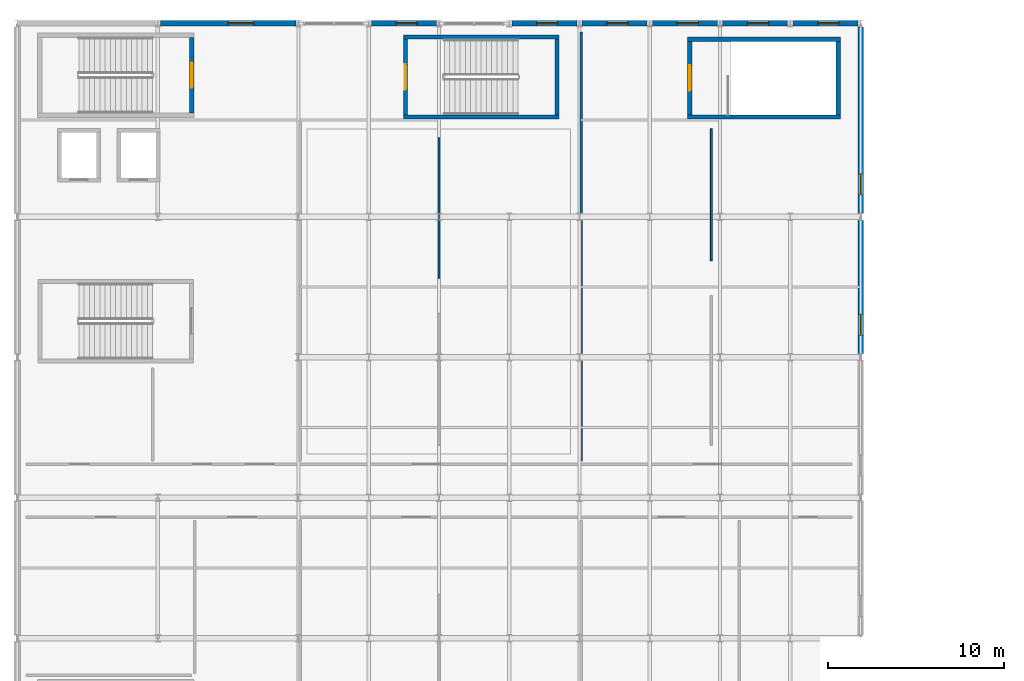
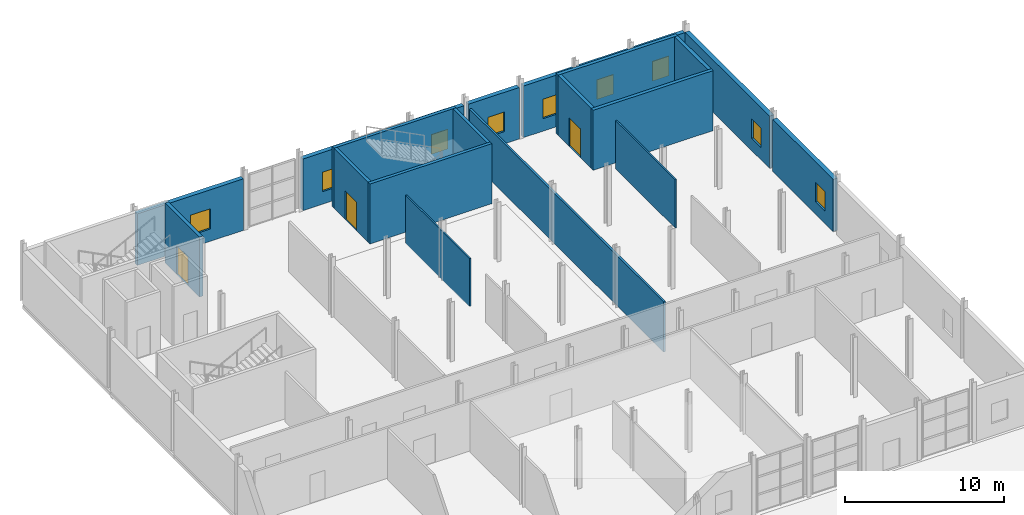
# One storey, part 61 of 67: 21 walls, 9 windows, 3 doors, 12 openings.
"""IFC4 building model written with IfcOpenShell, lengths in metres."""

from ifc_helpers import new_model, si_unit, derived_unit, direction, frame, frame_2d, origin, place, context, subcontext, project, spatial, rectangle, extrude, material, layer, layer_set, type_object, element, fill, save


model = new_model("IFC4")

# Units and contexts
model_context = context("Model", 3, precision=1e-05, world=origin(), true_north=direction((0.0, 1.0)))
body_context = subcontext(model_context, "Body", "Model", "MODEL_VIEW")
ifc_project = project(units=[si_unit("LENGTHUNIT", "METRE"), si_unit("AREAUNIT", "SQUARE_METRE"), si_unit("VOLUMEUNIT", "CUBIC_METRE"), si_unit("PLANEANGLEUNIT", "RADIAN"), si_unit("MASSUNIT", "GRAM", prefix="KILO"), derived_unit("THERMALTRANSMITTANCEUNIT", [(si_unit("POWERUNIT", "WATT"), 1), (si_unit("LENGTHUNIT", "METRE"), -2), (si_unit("THERMODYNAMICTEMPERATUREUNIT", "KELVIN"), -1)])], contexts=[model_context])

# Site, building, storey
site_placement = place(None, origin())
site = spatial("IfcSite", under=ifc_project, at=site_placement, CompositionType="ELEMENT")
building_placement = place(site_placement, origin())
building = spatial("IfcBuilding", under=site, at=building_placement, Name="Keldorne Ridge Multi-Sports Centre", CompositionType="ELEMENT")
storey_placement = place(building_placement, frame((0.0, 0.0, 14.0)))
storey = spatial("IfcBuildingStorey", under=building, at=storey_placement, Name="L03", CompositionType="ELEMENT", Elevation=14.0)

# Walls
ifc_material_1 = material(Name="Acoustic operable panel partition")
ifc_layer_1 = layer(ifc_material_1, 0.110107421875)
ifc_layer_set_1 = layer_set([ifc_layer_1])
wall_type_1 = type_object("IfcWallType", Name="WAL-MV-01", PredefinedType="MOVABLE", material=ifc_layer_set_1)
wall_1_placement = place(storey_placement, frame((128.0, 102.5, 0.0), z_axis=(0.0, 0.0, 1.0), x_axis=(0.0, 1.0, 0.0)))
element("IfcWall", 1, at=wall_1_placement, inside=storey, type_object=wall_type_1, Name="Acoustic operable studio partition MV-02", PredefinedType="MOVABLE", context=body_context, shape_type="SweptSolid", body=[
    extrude(rectangle(XDim=8.0, YDim=0.110107421875, at=frame_2d((4.0, 0.0))), origin(), (0.0, 0.0, 1.0), 3.699951171875),
])
wall_2_placement = place(storey_placement, frame((143.5, 103.5, 0.0), z_axis=(0.0, 0.0, 1.0), x_axis=(0.0, 1.0, 0.0)))
element("IfcWall", 2, at=wall_2_placement, inside=storey, type_object=wall_type_1, Name="Acoustic operable studio partition MV-04", PredefinedType="MOVABLE", context=body_context, shape_type="SweptSolid", body=[
    extrude(rectangle(XDim=7.5, YDim=0.110107421875, at=frame_2d((3.75, 0.0))), origin(), (0.0, 0.0, 1.0), 3.699951171875),
])

# Wall, opening, window
ifc_material_2 = material(Name="Precast concrete C40/50", Category="concrete")
ifc_layer_2 = layer(ifc_material_2, 0.320068359375)
ifc_layer_set_2 = layer_set([ifc_layer_2], Name="Precast concrete C40/50")
wall_type_2 = type_object("IfcWallType", Name="WAL-PR-W1", PredefinedType="STANDARD", material=ifc_layer_set_2)
wall_3_placement = place(storey_placement, frame((119.847900390625, 117.0, 0.0), z_axis=(0.0, 0.0, 1.0), x_axis=(-1.0, 0.0, 0.0)))
wall_3 = element("IfcWall", 3, at=wall_3_placement, inside=storey, type_object=wall_type_2, Name="East Wing L03 north facade 2", PredefinedType="STANDARD", context=body_context, shape_type="SweptSolid", body=[
    extrude(rectangle(XDim=7.69580078125, YDim=0.320068359375, at=frame_2d((3.847900390625, 0.0))), origin(), (0.0, 0.0, 1.0), 3.955078125),
])
opening_1_placement = place(wall_3_placement, frame((2.387939453125, 0.0, 0.949951171875)))
opening_1 = element("IfcOpeningElement", 4, at=opening_1_placement, cuts=wall_3, Name="Opening W-16", PredefinedType="OPENING", context=body_context, shape_type="SweptSolid", body=[
    extrude(rectangle(XDim=1.449951171875, YDim=1.550048828125, at=frame_2d((0.72509765625, 0.77490234375))), frame((0.0, 0.169921875, 0.0), z_axis=(0.0, -1.0, 0.0), x_axis=(1.0, 0.0, 0.0)), (0.0, 0.0, 1.0), 0.340087890625),
])
ifc_material_3 = material(Name="Anodized aluminium", Category="aluminium")
window_type_1 = type_object("IfcWindowType", Name="WIN-W-16", PartitioningType="SINGLE_PANEL", PredefinedType="WINDOW", material=ifc_material_3)
window_1_placement = place(opening_1_placement, origin())
window_1 = element("IfcWindow", 5, at=window_1_placement, inside=storey, type_object=window_type_1, Name="East Wing L03 north window W-095", OverallHeight=1.550048828125, OverallWidth=1.449951171875, PartitioningType="SINGLE_PANEL", PredefinedType="WINDOW", context=body_context, shape_type="SweptSolid", body=[
    extrude(rectangle(XDim=1.449951171875, YDim=1.550048828125, at=frame_2d((0.72509765625, 0.77490234375))), frame((0.0, 0.030029296875, 0.0), z_axis=(0.0, -1.0, 0.0), x_axis=(1.0, 0.0, 0.0)), (0.0, 0.0, 1.0), 0.06005859375),
])
fill(opening_1, window_1)

wall_4_placement = place(storey_placement, frame((127.847900390625, 117.0, 0.0), z_axis=(0.0, 0.0, 1.0), x_axis=(-1.0, 0.0, 0.0)))
wall_4 = element("IfcWall", 6, at=wall_4_placement, inside=storey, type_object=wall_type_2, Name="East Wing L03 north facade 4", PredefinedType="STANDARD", context=body_context, shape_type="SweptSolid", body=[
    extrude(rectangle(XDim=3.69580078125, YDim=0.320068359375, at=frame_2d((1.847900390625, 0.0))), origin(), (0.0, 0.0, 1.0), 3.955078125),
])
opening_2_placement = place(wall_4_placement, frame((1.087890625, 0.0, 0.949951171875)))
opening_2 = element("IfcOpeningElement", 7, at=opening_2_placement, cuts=wall_4, Name="Opening W-03", PredefinedType="OPENING", context=body_context, shape_type="SweptSolid", body=[
    extrude(rectangle(XDim=1.199951171875, YDim=1.5, at=frame_2d((0.60009765625, 0.75))), frame((0.0, 0.169921875, 0.0), z_axis=(0.0, -1.0, 0.0), x_axis=(1.0, 0.0, 0.0)), (0.0, 0.0, 1.0), 0.340087890625),
])
window_type_2 = type_object("IfcWindowType", Name="WIN-W-03", PartitioningType="SINGLE_PANEL", PredefinedType="WINDOW", material=ifc_material_3)
window_2_placement = place(opening_2_placement, origin())
window_2 = element("IfcWindow", 8, at=window_2_placement, inside=storey, type_object=window_type_2, Name="East Wing L03 north window W-096", OverallHeight=1.5, OverallWidth=1.199951171875, PartitioningType="SINGLE_PANEL", PredefinedType="WINDOW", context=body_context, shape_type="SweptSolid", body=[
    extrude(rectangle(XDim=1.199951171875, YDim=1.5, at=frame_2d((0.60009765625, 0.75))), frame((0.0, 0.030029296875, 0.0), z_axis=(0.0, -1.0, 0.0), x_axis=(1.0, 0.0, 0.0)), (0.0, 0.0, 1.0), 0.06005859375),
])
fill(opening_2, window_2)

wall_5_placement = place(storey_placement, frame((135.847900390625, 117.0, 0.0), z_axis=(0.0, 0.0, 1.0), x_axis=(-1.0, 0.0, 0.0)))
wall_5 = element("IfcWall", 9, at=wall_5_placement, inside=storey, type_object=wall_type_2, Name="East Wing L03 north facade 6", PredefinedType="STANDARD", context=body_context, shape_type="SweptSolid", body=[
    extrude(rectangle(XDim=3.69580078125, YDim=0.320068359375, at=frame_2d((1.847900390625, 0.0))), origin(), (0.0, 0.0, 1.0), 3.955078125),
])
opening_3_placement = place(wall_5_placement, frame((1.087890625, 0.0, 0.949951171875)))
opening_3 = element("IfcOpeningElement", 10, at=opening_3_placement, cuts=wall_5, Name="Opening W-03", PredefinedType="OPENING", context=body_context, shape_type="SweptSolid", body=[
    extrude(rectangle(XDim=1.199951171875, YDim=1.5, at=frame_2d((0.60009765625, 0.75))), frame((0.0, 0.169921875, 0.0), z_axis=(0.0, -1.0, 0.0), x_axis=(1.0, 0.0, 0.0)), (0.0, 0.0, 1.0), 0.340087890625),
])
window_3_placement = place(opening_3_placement, origin())
window_3 = element("IfcWindow", 11, at=window_3_placement, inside=storey, type_object=window_type_2, Name="East Wing L03 north window W-097", OverallHeight=1.5, OverallWidth=1.199951171875, PartitioningType="SINGLE_PANEL", PredefinedType="WINDOW", context=body_context, shape_type="SweptSolid", body=[
    extrude(rectangle(XDim=1.199951171875, YDim=1.5, at=frame_2d((0.60009765625, 0.75))), frame((0.0, 0.030029296875, 0.0), z_axis=(0.0, -1.0, 0.0), x_axis=(1.0, 0.0, 0.0)), (0.0, 0.0, 1.0), 0.06005859375),
])
fill(opening_3, window_3)

wall_6_placement = place(storey_placement, frame((139.847900390625, 117.0, 0.0), z_axis=(0.0, 0.0, 1.0), x_axis=(-1.0, 0.0, 0.0)))
wall_6 = element("IfcWall", 12, at=wall_6_placement, inside=storey, type_object=wall_type_2, Name="East Wing L03 north facade 7", PredefinedType="STANDARD", context=body_context, shape_type="SweptSolid", body=[
    extrude(rectangle(XDim=3.69580078125, YDim=0.320068359375, at=frame_2d((1.847900390625, 0.0))), origin(), (0.0, 0.0, 1.0), 3.955078125),
])
opening_4_placement = place(wall_6_placement, frame((1.087890625, 0.0, 0.949951171875)))
opening_4 = element("IfcOpeningElement", 13, at=opening_4_placement, cuts=wall_6, Name="Opening W-03", PredefinedType="OPENING", context=body_context, shape_type="SweptSolid", body=[
    extrude(rectangle(XDim=1.199951171875, YDim=1.5, at=frame_2d((0.60009765625, 0.75))), frame((0.0, 0.169921875, 0.0), z_axis=(0.0, -1.0, 0.0), x_axis=(1.0, 0.0, 0.0)), (0.0, 0.0, 1.0), 0.340087890625),
])
window_4_placement = place(opening_4_placement, origin())
window_4 = element("IfcWindow", 14, at=window_4_placement, inside=storey, type_object=window_type_2, Name="East Wing L03 north window W-098", OverallHeight=1.5, OverallWidth=1.199951171875, PartitioningType="SINGLE_PANEL", PredefinedType="WINDOW", context=body_context, shape_type="SweptSolid", body=[
    extrude(rectangle(XDim=1.199951171875, YDim=1.5, at=frame_2d((0.60009765625, 0.75))), frame((0.0, 0.030029296875, 0.0), z_axis=(0.0, -1.0, 0.0), x_axis=(1.0, 0.0, 0.0)), (0.0, 0.0, 1.0), 0.06005859375),
])
fill(opening_4, window_4)

wall_7_placement = place(storey_placement, frame((143.847900390625, 117.0, 0.0), z_axis=(0.0, 0.0, 1.0), x_axis=(-1.0, 0.0, 0.0)))
wall_7 = element("IfcWall", 15, at=wall_7_placement, inside=storey, type_object=wall_type_2, Name="East Wing L03 north facade 8", PredefinedType="STANDARD", context=body_context, shape_type="SweptSolid", body=[
    extrude(rectangle(XDim=3.69580078125, YDim=0.320068359375, at=frame_2d((1.847900390625, 0.0))), origin(), (0.0, 0.0, 1.0), 3.955078125),
])
opening_5_placement = place(wall_7_placement, frame((1.087890625, 0.0, 0.949951171875)))
opening_5 = element("IfcOpeningElement", 16, at=opening_5_placement, cuts=wall_7, Name="Opening W-03", PredefinedType="OPENING", context=body_context, shape_type="SweptSolid", body=[
    extrude(rectangle(XDim=1.199951171875, YDim=1.5, at=frame_2d((0.60009765625, 0.75))), frame((0.0, 0.169921875, 0.0), z_axis=(0.0, -1.0, 0.0), x_axis=(1.0, 0.0, 0.0)), (0.0, 0.0, 1.0), 0.340087890625),
])
window_5_placement = place(opening_5_placement, origin())
window_5 = element("IfcWindow", 17, at=window_5_placement, inside=storey, type_object=window_type_2, Name="East Wing L03 north window W-099", OverallHeight=1.5, OverallWidth=1.199951171875, PartitioningType="SINGLE_PANEL", PredefinedType="WINDOW", context=body_context, shape_type="SweptSolid", body=[
    extrude(rectangle(XDim=1.199951171875, YDim=1.5, at=frame_2d((0.60009765625, 0.75))), frame((0.0, 0.030029296875, 0.0), z_axis=(0.0, -1.0, 0.0), x_axis=(1.0, 0.0, 0.0)), (0.0, 0.0, 1.0), 0.06005859375),
])
fill(opening_5, window_5)

wall_8_placement = place(storey_placement, frame((147.847900390625, 117.0, 0.0), z_axis=(0.0, 0.0, 1.0), x_axis=(-1.0, 0.0, 0.0)))
wall_8 = element("IfcWall", 18, at=wall_8_placement, inside=storey, type_object=wall_type_2, Name="East Wing L03 north facade 9", PredefinedType="STANDARD", context=body_context, shape_type="SweptSolid", body=[
    extrude(rectangle(XDim=3.69580078125, YDim=0.320068359375, at=frame_2d((1.847900390625, 0.0))), origin(), (0.0, 0.0, 1.0), 3.955078125),
])
opening_6_placement = place(wall_8_placement, frame((1.087890625, 0.0, 0.949951171875)))
opening_6 = element("IfcOpeningElement", 19, at=opening_6_placement, cuts=wall_8, Name="Opening W-03", PredefinedType="OPENING", context=body_context, shape_type="SweptSolid", body=[
    extrude(rectangle(XDim=1.199951171875, YDim=1.5, at=frame_2d((0.60009765625, 0.75))), frame((0.0, 0.169921875, 0.0), z_axis=(0.0, -1.0, 0.0), x_axis=(1.0, 0.0, 0.0)), (0.0, 0.0, 1.0), 0.340087890625),
])
window_6_placement = place(opening_6_placement, origin())
window_6 = element("IfcWindow", 20, at=window_6_placement, inside=storey, type_object=window_type_2, Name="East Wing L03 north window W-100", OverallHeight=1.5, OverallWidth=1.199951171875, PartitioningType="SINGLE_PANEL", PredefinedType="WINDOW", context=body_context, shape_type="SweptSolid", body=[
    extrude(rectangle(XDim=1.199951171875, YDim=1.5, at=frame_2d((0.60009765625, 0.75))), frame((0.0, 0.030029296875, 0.0), z_axis=(0.0, -1.0, 0.0), x_axis=(1.0, 0.0, 0.0)), (0.0, 0.0, 1.0), 0.06005859375),
])
fill(opening_6, window_6)

wall_9_placement = place(storey_placement, frame((151.847900390625, 117.0, 0.0), z_axis=(0.0, 0.0, 1.0), x_axis=(-1.0, 0.0, 0.0)))
wall_9 = element("IfcWall", 21, at=wall_9_placement, inside=storey, type_object=wall_type_2, Name="East Wing L03 north facade 10", PredefinedType="STANDARD", context=body_context, shape_type="SweptSolid", body=[
    extrude(rectangle(XDim=3.69580078125, YDim=0.320068359375, at=frame_2d((1.847900390625, 0.0))), origin(), (0.0, 0.0, 1.0), 3.955078125),
])
opening_7_placement = place(wall_9_placement, frame((1.087890625, 0.0, 0.949951171875)))
opening_7 = element("IfcOpeningElement", 22, at=opening_7_placement, cuts=wall_9, Name="Opening W-03", PredefinedType="OPENING", context=body_context, shape_type="SweptSolid", body=[
    extrude(rectangle(XDim=1.199951171875, YDim=1.5, at=frame_2d((0.60009765625, 0.75))), frame((0.0, 0.169921875, 0.0), z_axis=(0.0, -1.0, 0.0), x_axis=(1.0, 0.0, 0.0)), (0.0, 0.0, 1.0), 0.340087890625),
])
window_7_placement = place(opening_7_placement, origin())
window_7 = element("IfcWindow", 23, at=window_7_placement, inside=storey, type_object=window_type_2, Name="East Wing L03 north window W-101", OverallHeight=1.5, OverallWidth=1.199951171875, PartitioningType="SINGLE_PANEL", PredefinedType="WINDOW", context=body_context, shape_type="SweptSolid", body=[
    extrude(rectangle(XDim=1.199951171875, YDim=1.5, at=frame_2d((0.60009765625, 0.75))), frame((0.0, 0.030029296875, 0.0), z_axis=(0.0, -1.0, 0.0), x_axis=(1.0, 0.0, 0.0)), (0.0, 0.0, 1.0), 0.06005859375),
])
fill(opening_7, window_7)

wall_10_placement = place(storey_placement, frame((152.0, 98.197021484375, 0.0), z_axis=(0.0, 0.0, 1.0), x_axis=(0.0, 1.0, 0.0)))
wall_10 = element("IfcWall", 24, at=wall_10_placement, inside=storey, type_object=wall_type_2, Name="East Wing L03 east facade 4", PredefinedType="STANDARD", context=body_context, shape_type="SweptSolid", body=[
    extrude(rectangle(XDim=7.60595703125, YDim=0.320068359375, at=frame_2d((3.802978515625, 0.0))), origin(), (0.0, 0.0, 1.0), 4.0048828125),
])
opening_8_placement = place(wall_10_placement, frame((1.04296875, 0.0, 0.949951171875)))
opening_8 = element("IfcOpeningElement", 25, at=opening_8_placement, cuts=wall_10, Name="Opening W-03", PredefinedType="OPENING", context=body_context, shape_type="SweptSolid", body=[
    extrude(rectangle(XDim=1.199951171875, YDim=1.5, at=frame_2d((0.60009765625, 0.75))), frame((0.0, 0.169921875, 0.0), z_axis=(0.0, -1.0, 0.0), x_axis=(1.0, 0.0, 0.0)), (0.0, 0.0, 1.0), 0.340087890625),
])
window_8_placement = place(opening_8_placement, origin())
window_8 = element("IfcWindow", 26, at=window_8_placement, inside=storey, type_object=window_type_2, Name="East Wing L03 east window W-105", OverallHeight=1.5, OverallWidth=1.199951171875, PartitioningType="SINGLE_PANEL", PredefinedType="WINDOW", context=body_context, shape_type="SweptSolid", body=[
    extrude(rectangle(XDim=1.199951171875, YDim=1.5, at=frame_2d((0.60009765625, 0.75))), frame((0.0, 0.030029296875, 0.0), z_axis=(0.0, -1.0, 0.0), x_axis=(1.0, 0.0, 0.0)), (0.0, 0.0, 1.0), 0.06005859375),
])
fill(opening_8, window_8)

wall_11_placement = place(storey_placement, frame((152.0, 106.197021484375, 0.0), z_axis=(0.0, 0.0, 1.0), x_axis=(0.0, 1.0, 0.0)))
wall_11 = element("IfcWall", 27, at=wall_11_placement, inside=storey, type_object=wall_type_2, Name="East Wing L03 east facade 5", PredefinedType="STANDARD", context=body_context, shape_type="SweptSolid", body=[
    extrude(rectangle(XDim=10.60595703125, YDim=0.320068359375, at=frame_2d((5.302978515625, 0.0))), origin(), (0.0, 0.0, 1.0), 4.0048828125),
])
opening_9_placement = place(wall_11_placement, frame((1.04296875, 0.0, 0.949951171875)))
opening_9 = element("IfcOpeningElement", 28, at=opening_9_placement, cuts=wall_11, Name="Opening W-03", PredefinedType="OPENING", context=body_context, shape_type="SweptSolid", body=[
    extrude(rectangle(XDim=1.199951171875, YDim=1.5, at=frame_2d((0.60009765625, 0.75))), frame((0.0, 0.169921875, 0.0), z_axis=(0.0, -1.0, 0.0), x_axis=(1.0, 0.0, 0.0)), (0.0, 0.0, 1.0), 0.340087890625),
])
window_9_placement = place(opening_9_placement, origin())
window_9 = element("IfcWindow", 29, at=window_9_placement, inside=storey, type_object=window_type_2, Name="East Wing L03 east window W-106", OverallHeight=1.5, OverallWidth=1.199951171875, PartitioningType="SINGLE_PANEL", PredefinedType="WINDOW", context=body_context, shape_type="SweptSolid", body=[
    extrude(rectangle(XDim=1.199951171875, YDim=1.5, at=frame_2d((0.60009765625, 0.75))), frame((0.0, 0.030029296875, 0.0), z_axis=(0.0, -1.0, 0.0), x_axis=(1.0, 0.0, 0.0)), (0.0, 0.0, 1.0), 0.06005859375),
])
fill(opening_9, window_9)

# Wall
ifc_material_4 = material(Name="Fire-rated twin stud plasterboard")
ifc_layer_3 = layer(ifc_material_4, 0.14990234375)
ifc_layer_set_3 = layer_set([ifc_layer_3])
wall_type_3 = type_object("IfcWallType", Name="WAL-PT-02", PredefinedType="PARTITIONING", material=ifc_layer_set_3)
wall_12_placement = place(storey_placement, frame((136.10009765625, 92.10009765625, 0.0), z_axis=(0.0, 0.0, 1.0), x_axis=(0.0, 1.0, 0.0)))
element("IfcWall", 30, at=wall_12_placement, inside=storey, type_object=wall_type_3, Name="Third floor studio divider IW-L03-072", PredefinedType="PARTITIONING", context=body_context, shape_type="SweptSolid", body=[
    extrude(rectangle(XDim=24.39990234375, YDim=0.14990234375, at=frame_2d((12.199951171875, 0.0))), origin(), (0.0, 0.0, 1.0), 3.85009765625),
])

# Wall, opening, door
ifc_material_5 = material(Name="Concrete C40/50", Category="concrete")
ifc_layer_4 = layer(ifc_material_5, 0.25)
ifc_layer_set_4 = layer_set([ifc_layer_4], Name="Concrete C40/50")
wall_type_4 = type_object("IfcWallType", Name="WAL-SW01", PredefinedType="SHEAR", material=ifc_layer_set_4)
wall_13_placement = place(storey_placement, frame((113.925048828125, 111.89990234375, 0.0), z_axis=(0.0, 0.0, 1.0), x_axis=(0.0, 1.0, 0.0)))
wall_13 = element("IfcWall", 31, at=wall_13_placement, inside=storey, type_object=wall_type_4, Name="Stair ST-01 shaft wall L03 NEAR", PredefinedType="SHEAR", context=body_context, shape_type="SweptSolid", body=[
    extrude(rectangle(XDim=4.300048828125, YDim=0.25, at=frame_2d((2.14990234375, 0.0))), origin(), (0.0, 0.0, 1.0), 4.60009765625),
])
opening_10_placement = place(wall_13_placement, frame((1.425048828125, 0.0, 0.0)))
opening_10 = element("IfcOpeningElement", 32, at=opening_10_placement, cuts=wall_13, Name="Opening D-05", PredefinedType="OPENING", context=body_context, shape_type="SweptSolid", body=[
    extrude(rectangle(XDim=1.449951171875, YDim=2.199951171875, at=frame_2d((0.72509765625, 1.10009765625))), frame((0.0, 0.135009765625, 0.0), z_axis=(0.0, -1.0, 0.0), x_axis=(1.0, 0.0, 0.0)), (0.0, 0.0, 1.0), 0.27001953125),
])
ifc_material_6 = material(Name="Steel fire-resisting pair", Category="steel")
door_type = type_object("IfcDoorType", Name="DR-D-05", OperationType="NOTDEFINED", PredefinedType="DOOR", material=ifc_material_6)
door_1_placement = place(opening_10_placement, origin())
door_1 = element("IfcDoor", 33, at=door_1_placement, inside=storey, type_object=door_type, Name="Stair ST-01 L03 fire door D-005", OperationType="DOUBLE_DOOR_SINGLE_SWING", OverallHeight=2.199951171875, OverallWidth=1.449951171875, PredefinedType="DOOR", context=body_context, shape_type="SweptSolid", body=[
    extrude(rectangle(XDim=1.449951171875, YDim=2.199951171875, at=frame_2d((0.72509765625, 1.10009765625))), frame((0.0, 0.02490234375, 0.0), z_axis=(0.0, -1.0, 0.0), x_axis=(1.0, 0.0, 0.0)), (0.0, 0.0, 1.0), 0.050048828125),
])
fill(opening_10, door_1)

wall_14_placement = place(storey_placement, frame((142.27490234375, 111.800048828125, 0.0), z_axis=(0.0, 0.0, 1.0), x_axis=(0.0, 1.0, 0.0)))
wall_14 = element("IfcWall", 34, at=wall_14_placement, inside=storey, type_object=wall_type_4, Name="Stair ST-03 shaft wall L03 NEAR", PredefinedType="SHEAR", context=body_context, shape_type="SweptSolid", body=[
    extrude(rectangle(XDim=4.179931640625, YDim=0.25, at=frame_2d((2.08984375, 0.0))), origin(), (0.0, 0.0, 1.0), 4.60009765625),
])
opening_11_placement = place(wall_14_placement, frame((1.364990234375, 0.0, 0.0)))
opening_11 = element("IfcOpeningElement", 35, at=opening_11_placement, cuts=wall_14, Name="Opening D-05", PredefinedType="OPENING", context=body_context, shape_type="SweptSolid", body=[
    extrude(rectangle(XDim=1.449951171875, YDim=2.199951171875, at=frame_2d((0.72509765625, 1.10009765625))), frame((0.0, 0.135009765625, 0.0), z_axis=(0.0, -1.0, 0.0), x_axis=(1.0, 0.0, 0.0)), (0.0, 0.0, 1.0), 0.27001953125),
])
door_2_placement = place(opening_11_placement, origin())
door_2 = element("IfcDoor", 36, at=door_2_placement, inside=storey, type_object=door_type, Name="Stair ST-03 L03 fire door D-018", OperationType="DOUBLE_DOOR_SINGLE_SWING", OverallHeight=2.199951171875, OverallWidth=1.449951171875, PredefinedType="DOOR", context=body_context, shape_type="SweptSolid", body=[
    extrude(rectangle(XDim=1.449951171875, YDim=2.199951171875, at=frame_2d((0.72509765625, 1.10009765625))), frame((0.0, 0.02490234375, 0.0), z_axis=(0.0, -1.0, 0.0), x_axis=(1.0, 0.0, 0.0)), (0.0, 0.0, 1.0), 0.050048828125),
])
fill(opening_11, door_2)

# Walls
wall_15_placement = place(storey_placement, frame((150.72509765625, 115.97998046875, 0.0), z_axis=(0.0, 0.0, 1.0), x_axis=(0.0, -1.0, 0.0)))
element("IfcWall", 37, at=wall_15_placement, inside=storey, type_object=wall_type_4, Name="Stair ST-03 shaft wall L03 FAR", PredefinedType="SHEAR", context=body_context, shape_type="SweptSolid", body=[
    extrude(rectangle(XDim=4.179931640625, YDim=0.25, at=frame_2d((2.08984375, 0.0))), origin(), (0.0, 0.0, 1.0), 4.60009765625),
])
for number, where, z_axis, x_axis, name in (
    (38, (142.14990234375, 111.675048828125, 0.0), (0.0, 0.0, 1.0), (1.0, 0.0, 0.0), "Stair ST-03 shaft wall L03 SOUTH"),
    (39, (150.85009765625, 116.10498046875, 0.0), (0.0, 0.0, 1.0), (-1.0, 0.0, 0.0), "Stair ST-03 shaft wall L03 NORTH"),
):
    element("IfcWall", number, at=place(storey_placement, frame(where, z_axis=z_axis, x_axis=x_axis)), inside=storey, type_object=wall_type_4, Name=name, PredefinedType="SHEAR", context=body_context, shape_type="SweptSolid", body=[
        extrude(rectangle(XDim=8.7001953125, YDim=0.25, at=frame_2d((4.35009765625, 0.0))), origin(), (0.0, 0.0, 1.0), 4.60009765625),
    ])

# Wall, opening, door
ifc_layer_5 = layer(ifc_material_5, 0.22998046875)
ifc_layer_set_5 = layer_set([ifc_layer_5], Name="Concrete C40/50")
wall_type_5 = type_object("IfcWallType", Name="WAL-SW02", PredefinedType="SHEAR", material=ifc_layer_set_5)
wall_16_placement = place(storey_placement, frame((126.0849609375, 111.800048828125, 0.0), z_axis=(0.0, 0.0, 1.0), x_axis=(0.0, 1.0, 0.0)))
wall_16 = element("IfcWall", 40, at=wall_16_placement, inside=storey, type_object=wall_type_5, Name="Stair ST-10 shaft wall L03 NEAR", PredefinedType="SHEAR", context=body_context, shape_type="SweptSolid", body=[
    extrude(rectangle(XDim=4.300048828125, YDim=0.22998046875, at=frame_2d((2.14990234375, 0.0))), origin(), (0.0, 0.0, 1.0), 4.60009765625),
])
opening_12_placement = place(wall_16_placement, frame((1.425048828125, 0.0, 0.0)))
opening_12 = element("IfcOpeningElement", 41, at=opening_12_placement, cuts=wall_16, Name="Opening D-05", PredefinedType="OPENING", context=body_context, shape_type="SweptSolid", body=[
    extrude(rectangle(XDim=1.449951171875, YDim=2.199951171875, at=frame_2d((0.72509765625, 1.10009765625))), frame((0.0, 0.125, 0.0), z_axis=(0.0, -1.0, 0.0), x_axis=(1.0, 0.0, 0.0)), (0.0, 0.0, 1.0), 0.25),
])
door_3_placement = place(opening_12_placement, origin())
door_3 = element("IfcDoor", 42, at=door_3_placement, inside=storey, type_object=door_type, Name="Stair ST-10 L03 fire door D-042", OperationType="DOUBLE_DOOR_SINGLE_SWING", OverallHeight=2.199951171875, OverallWidth=1.449951171875, PredefinedType="DOOR", context=body_context, shape_type="SweptSolid", body=[
    extrude(rectangle(XDim=1.449951171875, YDim=2.199951171875, at=frame_2d((0.72509765625, 1.10009765625))), frame((0.0, 0.02490234375, 0.0), z_axis=(0.0, -1.0, 0.0), x_axis=(1.0, 0.0, 0.0)), (0.0, 0.0, 1.0), 0.050048828125),
])
fill(opening_12, door_3)

# Walls
wall_17_placement = place(storey_placement, frame((134.715087890625, 116.10009765625, 0.0), z_axis=(0.0, 0.0, 1.0), x_axis=(0.0, -1.0, 0.0)))
element("IfcWall", 43, at=wall_17_placement, inside=storey, type_object=wall_type_5, Name="Stair ST-10 shaft wall L03 FAR", PredefinedType="SHEAR", context=body_context, shape_type="SweptSolid", body=[
    extrude(rectangle(XDim=4.300048828125, YDim=0.22998046875, at=frame_2d((2.14990234375, 0.0))), origin(), (0.0, 0.0, 1.0), 4.60009765625),
])
for number, where, z_axis, x_axis, name in (
    (44, (125.969970703125, 111.68505859375, 0.0), (0.0, 0.0, 1.0), (1.0, 0.0, 0.0), "Stair ST-10 shaft wall L03 SOUTH"),
    (45, (134.830078125, 116.215087890625, 0.0), (0.0, 0.0, 1.0), (-1.0, 0.0, 0.0), "Stair ST-10 shaft wall L03 NORTH"),
):
    element("IfcWall", number, at=place(storey_placement, frame(where, z_axis=z_axis, x_axis=x_axis)), inside=storey, type_object=wall_type_5, Name=name, PredefinedType="SHEAR", context=body_context, shape_type="SweptSolid", body=[
        extrude(rectangle(XDim=8.860107421875, YDim=0.22998046875, at=frame_2d((4.43017578125, 0.0))), origin(), (0.0, 0.0, 1.0), 4.60009765625),
    ])

save(model, "model.ifc")
